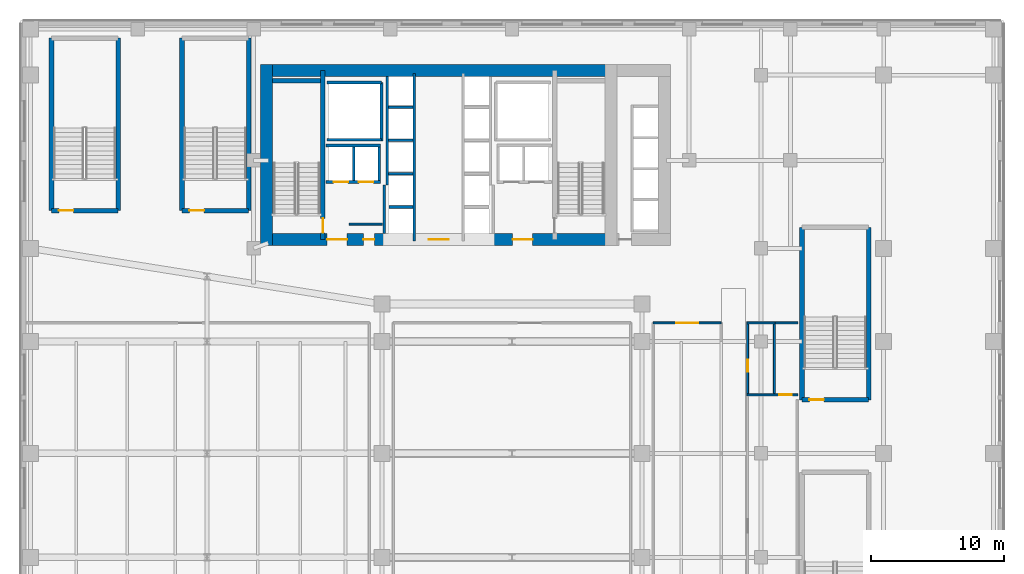
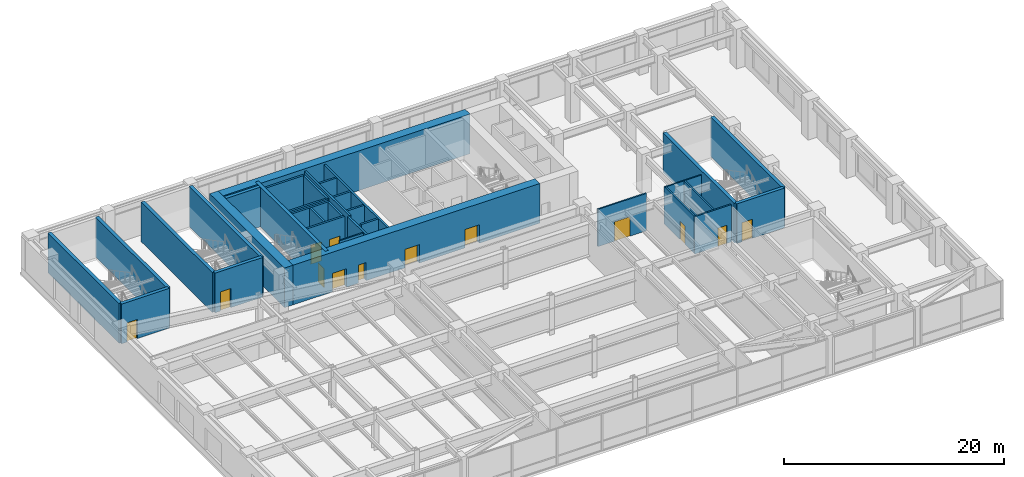
# One storey, part 19 of 27: 35 walls, 13 doors, 13 openings.
"""IFC4 building model written with IfcOpenShell, lengths in metres."""

from ifc_helpers import new_model, si_unit, direction, frame, frame_2d, origin, place, context, subcontext, project, spatial, rectangle, extrude, source, transform, mapped, material, layer, layer_set, type_object, type_shapes, element, fill, save


model = new_model("IFC4")

# Units and contexts
model_context = context("Model", 3, precision=1e-05, world=origin(), true_north=direction((0.0, 1.0)))
body_context = subcontext(model_context, "Body", "Model", "MODEL_VIEW")
ifc_project = project(units=[si_unit("LENGTHUNIT", "METRE"), si_unit("AREAUNIT", "SQUARE_METRE"), si_unit("VOLUMEUNIT", "CUBIC_METRE"), si_unit("PLANEANGLEUNIT", "RADIAN"), si_unit("MASSUNIT", "GRAM", prefix="KILO")], contexts=[model_context])

# Site, building, storey
site_placement = place(None, origin())
site = spatial("IfcSite", under=ifc_project, at=site_placement, CompositionType="ELEMENT")
building_placement = place(site_placement, origin())
building = spatial("IfcBuilding", under=site, at=building_placement, Name="Tolvann Quenvar Hotel", CompositionType="ELEMENT")
storey_placement = place(building_placement, frame((0.0, 0.0, 22.39990234375)))
storey = spatial("IfcBuildingStorey", under=building, at=storey_placement, Name="L04", CompositionType="ELEMENT", Elevation=22.39990234375)

# Wall, openings, doors
ifc_material_1 = material(Name="Concrete S80 (80 MPa)", Category="concrete")
ifc_layer_1 = layer(ifc_material_1, 0.89990234375)
ifc_layer_set_1 = layer_set([ifc_layer_1], Name="Concrete S80 (80 MPa)")
wall_type_1 = type_object("IfcWallType", Name="WALL_CORE_900", PredefinedType="SHEAR", material=ifc_layer_set_1)
wall_1_placement = place(storey_placement, frame((9.60009765625, 32.050048828125, 0.0), z_axis=(0.0, 0.0, 1.0), x_axis=(1.0, 0.0, 0.0)))
wall_1 = element("IfcWall", 1, at=wall_1_placement, inside=storey, type_object=wall_type_1, Name="Rear Core S Shear Wall (L04)", PredefinedType="SHEAR", context=body_context, shape_type="SweptSolid", body=[
    extrude(rectangle(XDim=26.7998046875, YDim=0.89990234375, at=frame_2d((13.39990234375, 0.0))), origin(), (0.0, 0.0, 1.0), 4.400146484375),
])
opening_1_placement = place(wall_1_placement, frame((6.52001953125, 0.0, 0.0), z_axis=(0.0, 0.0, 1.0), x_axis=(-1.0, 0.0, 0.0)))
opening_1 = element("IfcOpeningElement", 2, at=opening_1_placement, cuts=wall_1, Name="Opening FD-60D", PredefinedType="OPENING", context=body_context, shape_type="SweptSolid", body=[
    extrude(rectangle(XDim=1.5, YDim=2.0400390625, at=frame_2d((0.75, 1.02001953125))), frame((0.0, 0.4599609375, 0.0), z_axis=(0.0, -1.0, 0.0), x_axis=(1.0, 0.0, 0.0)), (0.0, 0.0, 1.0), 0.919921875),
])
opening_2_placement = place(wall_1_placement, frame((14.14990234375, 0.0, 0.0), z_axis=(0.0, 0.0, 1.0), x_axis=(-1.0, 0.0, 0.0)))
opening_2 = element("IfcOpeningElement", 3, at=opening_2_placement, cuts=wall_1, Name="Opening FD-60D", PredefinedType="OPENING", context=body_context, shape_type="SweptSolid", body=[
    extrude(rectangle(XDim=1.5, YDim=2.0400390625, at=frame_2d((0.75, 1.02001953125))), frame((0.0, 0.4599609375, 0.0), z_axis=(0.0, -1.0, 0.0), x_axis=(1.0, 0.0, 0.0)), (0.0, 0.0, 1.0), 0.919921875),
])
opening_3_placement = place(wall_1_placement, frame((20.449951171875, 0.0, 0.0), z_axis=(0.0, 0.0, 1.0), x_axis=(-1.0, 0.0, 0.0)))
opening_3 = element("IfcOpeningElement", 4, at=opening_3_placement, cuts=wall_1, Name="Opening FD-60D", PredefinedType="OPENING", context=body_context, shape_type="SweptSolid", body=[
    extrude(rectangle(XDim=1.5, YDim=2.0400390625, at=frame_2d((0.75, 1.02001953125))), frame((0.0, 0.4599609375, 0.0), z_axis=(0.0, -1.0, 0.0), x_axis=(1.0, 0.0, 0.0)), (0.0, 0.0, 1.0), 0.919921875),
])
opening_4_placement = place(wall_1_placement, frame((8.570068359375, 0.0, 0.0), z_axis=(0.0, 0.0, 1.0), x_axis=(-1.0, 0.0, 0.0)))
opening_4 = element("IfcOpeningElement", 5, at=opening_4_placement, cuts=wall_1, Name="Opening HD-02", PredefinedType="OPENING", context=body_context, shape_type="SweptSolid", body=[
    extrude(rectangle(XDim=0.820068359375, YDim=2.010009765625, at=frame_2d((0.41015625, 1.0048828125))), frame((0.0, 0.4599609375, 0.0), z_axis=(0.0, -1.0, 0.0), x_axis=(1.0, 0.0, 0.0)), (0.0, 0.0, 1.0), 0.919921875),
])
ifc_material_2 = material(Name="Solid-core American oak acoustic fire door leaf in steel frame", Category="steel")
door_type_1 = type_object("IfcDoorType", Name="DOOR_FIRE_LOBBY_1500", OperationType="NOTDEFINED", PredefinedType="DOOR", material=ifc_material_2)
shared_shape_1 = source(origin(), body_context, "Body", "SweptSolid", [
    extrude(rectangle(XDim=1.5, YDim=2.0400390625, at=frame_2d((0.75, 1.02001953125))), frame((0.0, 0.02490234375, 0.0), z_axis=(0.0, -1.0, 0.0), x_axis=(1.0, 0.0, 0.0)), (0.0, 0.0, 1.0), 0.050048828125),
])
type_shapes(door_type_1, [shared_shape_1])
door_1_placement = place(opening_1_placement, origin())
door_1 = element("IfcDoor", 6, at=door_1_placement, inside=storey, type_object=door_type_1, Name="Core Lobby Fire Door FFW (L04)", OperationType="DOUBLE_DOOR_SINGLE_SWING", OverallHeight=2.0400390625, OverallWidth=1.5, PredefinedType="DOOR", context=body_context, shape_type="MappedRepresentation", body=[
    mapped(shared_shape_1, transform((0.0, 0.0, 0.0), x_axis=(1.0, 0.0, 0.0), y_axis=(0.0, 1.0, 0.0), z_axis=(0.0, 0.0, 1.0), scale=1.0)),
])
fill(opening_1, door_1)
door_2_placement = place(opening_2_placement, origin())
door_2 = element("IfcDoor", 7, at=door_2_placement, inside=storey, type_object=door_type_1, Name="Core Lobby Fire Door CLOB (L04)", OperationType="DOUBLE_DOOR_SINGLE_SWING", OverallHeight=2.0400390625, OverallWidth=1.5, PredefinedType="DOOR", context=body_context, shape_type="MappedRepresentation", body=[
    mapped(shared_shape_1, transform((0.0, 0.0, 0.0), x_axis=(1.0, 0.0, 0.0), y_axis=(0.0, 1.0, 0.0), z_axis=(0.0, 0.0, 1.0), scale=1.0)),
])
fill(opening_2, door_2)
door_3_placement = place(opening_3_placement, origin())
door_3 = element("IfcDoor", 8, at=door_3_placement, inside=storey, type_object=door_type_1, Name="Core Lobby Fire Door FFE (L04)", OperationType="DOUBLE_DOOR_SINGLE_SWING", OverallHeight=2.0400390625, OverallWidth=1.5, PredefinedType="DOOR", context=body_context, shape_type="MappedRepresentation", body=[
    mapped(shared_shape_1, transform((0.0, 0.0, 0.0), x_axis=(1.0, 0.0, 0.0), y_axis=(0.0, 1.0, 0.0), z_axis=(0.0, 0.0, 1.0), scale=1.0)),
])
fill(opening_3, door_3)
ifc_material_3 = material(Name="Pressed galvanised steel fire-rated door set", Category="steel")
door_type_2 = type_object("IfcDoorType", Name="DOOR_STORE_820", OperationType="NOTDEFINED", PredefinedType="DOOR", material=ifc_material_3)
shared_shape_2 = source(origin(), body_context, "Body", "SweptSolid", [
    extrude(rectangle(XDim=0.820068359375, YDim=2.010009765625, at=frame_2d((0.41015625, 1.0048828125))), frame((0.0, 0.02490234375, 0.0), z_axis=(0.0, -1.0, 0.0), x_axis=(1.0, 0.0, 0.0)), (0.0, 0.0, 1.0), 0.050048828125),
])
type_shapes(door_type_2, [shared_shape_2])
door_4_placement = place(opening_4_placement, origin())
door_4 = element("IfcDoor", 9, at=door_4_placement, inside=storey, type_object=door_type_2, Name="Core Linen Store Fire Door (L04)", OperationType="SINGLE_SWING_RIGHT", OverallHeight=2.010009765625, OverallWidth=0.820068359375, PredefinedType="DOOR", context=body_context, shape_type="MappedRepresentation", body=[
    mapped(shared_shape_2, transform((0.0, 0.0, 0.0), x_axis=(1.0, 0.0, 0.0), y_axis=(0.0, 1.0, 0.0), z_axis=(0.0, 0.0, 1.0), scale=1.0)),
])
fill(opening_4, door_4)

# Walls
wall_2_placement = place(storey_placement, frame((9.60009765625, 44.75, 0.0), z_axis=(0.0, 0.0, 1.0), x_axis=(1.0, 0.0, 0.0)))
element("IfcWall", 10, at=wall_2_placement, inside=storey, type_object=wall_type_1, Name="Rear Core N Shear Wall (L04)", PredefinedType="SHEAR", context=body_context, shape_type="SweptSolid", body=[
    extrude(rectangle(XDim=26.7998046875, YDim=0.89990234375, at=frame_2d((13.39990234375, 0.0))), origin(), (0.0, 0.0, 1.0), 4.400146484375),
])
wall_3_placement = place(storey_placement, frame((10.050048828125, 31.60009765625, 0.0), z_axis=(0.0, 0.0, 1.0), x_axis=(0.0, 1.0, 0.0)))
element("IfcWall", 11, at=wall_3_placement, inside=storey, type_object=wall_type_1, Name="Rear Core W Shear Wall (L04)", PredefinedType="SHEAR", context=body_context, shape_type="SweptSolid", body=[
    extrude(rectangle(XDim=13.599853515625, YDim=0.89990234375, at=frame_2d((6.7998046875, 0.0))), origin(), (0.0, 0.0, 1.0), 4.400146484375),
])

# Wall, opening, door
ifc_material_4 = material(Name="Concrete S65 (65 MPa)", Category="concrete")
ifc_layer_2 = layer(ifc_material_4, 0.35009765625)
ifc_layer_set_2 = layer_set([ifc_layer_2], Name="Concrete S65 (65 MPa)")
wall_type_2 = type_object("IfcWallType", Name="WALL_CORE_INT_350", PredefinedType="SHEAR", material=ifc_layer_set_2)
wall_4_placement = place(storey_placement, frame((14.300048828125, 32.050048828125, 0.0), z_axis=(0.0, 0.0, 1.0), x_axis=(0.0, 1.0, 0.0)))
wall_4 = element("IfcWall", 12, at=wall_4_placement, inside=storey, type_object=wall_type_2, Name="Core Internal Web Shear Wall WEB-W (L04)", PredefinedType="SHEAR", context=body_context, shape_type="SweptSolid", body=[
    extrude(rectangle(XDim=12.699951171875, YDim=0.35009765625, at=frame_2d((6.35009765625, 0.0))), origin(), (0.0, 0.0, 1.0), 4.400146484375),
])
opening_5_placement = place(wall_4_placement, frame((0.5, 0.0, 0.0)))
opening_5 = element("IfcOpeningElement", 13, at=opening_5_placement, cuts=wall_4, Name="Opening FD-120", PredefinedType="OPENING", context=body_context, shape_type="SweptSolid", body=[
    extrude(rectangle(XDim=1.10009765625, YDim=2.1201171875, at=frame_2d((0.550048828125, 1.06005859375))), frame((0.0, 0.18505859375, 0.0), z_axis=(0.0, -1.0, 0.0), x_axis=(1.0, 0.0, 0.0)), (0.0, 0.0, 1.0), 0.3701171875),
])
door_type_3 = type_object("IfcDoorType", Name="DOOR_FIRE_STAIR_1100", OperationType="NOTDEFINED", PredefinedType="DOOR", material=ifc_material_3)
shared_shape_3 = source(origin(), body_context, "Body", "SweptSolid", [
    extrude(rectangle(XDim=1.10009765625, YDim=2.1201171875, at=frame_2d((0.550048828125, 1.06005859375))), frame((0.0, 0.02490234375, 0.0), z_axis=(0.0, -1.0, 0.0), x_axis=(1.0, 0.0, 0.0)), (0.0, 0.0, 1.0), 0.050048828125),
])
type_shapes(door_type_3, [shared_shape_3])
door_5_placement = place(opening_5_placement, origin())
door_5 = element("IfcDoor", 14, at=door_5_placement, inside=storey, type_object=door_type_3, Name="Exit Stair ST-C1 Fire Door (L04)", OperationType="SINGLE_SWING_RIGHT", OverallHeight=2.1201171875, OverallWidth=1.10009765625, PredefinedType="DOOR", context=body_context, shape_type="MappedRepresentation", body=[
    mapped(shared_shape_3, transform((0.0, 0.0, 0.0), x_axis=(1.0, 0.0, 0.0), y_axis=(0.0, 1.0, 0.0), z_axis=(0.0, 0.0, 1.0), scale=1.0)),
])
fill(opening_5, door_5)

# Wall
wall_5_placement = place(storey_placement, frame((10.52001953125, 43.97509765625, 0.0), z_axis=(0.0, 0.0, 1.0), x_axis=(1.0, 0.0, 0.0)))
element("IfcWall", 15, at=wall_5_placement, inside=storey, type_object=wall_type_2, Name="Core Stair North Closing Shear Wall STC1-N (L04)", PredefinedType="SHEAR", context=body_context, shape_type="SweptSolid", body=[
    extrude(rectangle(XDim=3.60009765625, YDim=0.35009765625, at=frame_2d((1.800048828125, 0.0))), origin(), (0.0, 0.0, 1.0), 4.400146484375),
])

# Wall, opening, door
wall_6_placement = place(storey_placement, frame((-6.074951171875, 34.22509765625, 0.0), z_axis=(0.0, 0.0, 1.0), x_axis=(1.0, 0.0, 0.0)))
wall_6 = element("IfcWall", 16, at=wall_6_placement, inside=storey, type_object=wall_type_2, Name="Stairwell ST-P1 Structural Shaft Wall S (L04)", PredefinedType="SHEAR", context=body_context, shape_type="SweptSolid", body=[
    extrude(rectangle(XDim=5.0, YDim=0.35009765625, at=frame_2d((2.5, 0.0))), origin(), (0.0, 0.0, 1.0), 4.400146484375),
])
opening_6_placement = place(wall_6_placement, frame((0.550048828125, 0.0, 0.0)))
opening_6 = element("IfcOpeningElement", 17, at=opening_6_placement, cuts=wall_6, Name="Opening FD-120", PredefinedType="OPENING", context=body_context, shape_type="SweptSolid", body=[
    extrude(rectangle(XDim=1.10009765625, YDim=2.1201171875, at=frame_2d((0.550048828125, 1.06005859375))), frame((0.0, 0.18505859375, 0.0), z_axis=(0.0, -1.0, 0.0), x_axis=(1.0, 0.0, 0.0)), (0.0, 0.0, 1.0), 0.3701171875),
])
door_6_placement = place(opening_6_placement, origin())
door_6 = element("IfcDoor", 18, at=door_6_placement, inside=storey, type_object=door_type_3, Name="Exit Stair ST-P1 Fire Door (L04)", OperationType="SINGLE_SWING_RIGHT", OverallHeight=2.1201171875, OverallWidth=1.10009765625, PredefinedType="DOOR", context=body_context, shape_type="MappedRepresentation", body=[
    mapped(shared_shape_3, transform((0.0, 0.0, 0.0), x_axis=(1.0, 0.0, 0.0), y_axis=(0.0, 1.0, 0.0), z_axis=(0.0, 0.0, 1.0), scale=1.0)),
])
fill(opening_6, door_6)

# Walls
for number, where, z_axis, x_axis, name in (
    (19, (-1.074951171875, 34.22509765625, 0.0), (0.0, 0.0, 1.0), (0.0, 1.0, 0.0), "Stairwell ST-P1 Structural Shaft Wall E (L04)"),
    (20, (-6.074951171875, 47.175048828125, 0.0), (0.0, 0.0, 1.0), (0.0, -1.0, 0.0), "Stairwell ST-P1 Structural Shaft Wall W (L04)"),
):
    element("IfcWall", number, at=place(storey_placement, frame(where, z_axis=z_axis, x_axis=x_axis)), inside=storey, type_object=wall_type_2, Name=name, PredefinedType="SHEAR", context=body_context, shape_type="SweptSolid", body=[
        extrude(rectangle(XDim=12.949951171875, YDim=0.35009765625, at=frame_2d((6.47509765625, 0.0))), origin(), (0.0, 0.0, 1.0), 4.400146484375),
    ])

# Wall, opening, door
wall_7_placement = place(storey_placement, frame((3.72509765625, 34.22509765625, 0.0), z_axis=(0.0, 0.0, 1.0), x_axis=(1.0, 0.0, 0.0)))
wall_7 = element("IfcWall", 21, at=wall_7_placement, inside=storey, type_object=wall_type_2, Name="Stairwell ST-P2 Structural Shaft Wall S (L04)", PredefinedType="SHEAR", context=body_context, shape_type="SweptSolid", body=[
    extrude(rectangle(XDim=5.0, YDim=0.35009765625, at=frame_2d((2.5, 0.0))), origin(), (0.0, 0.0, 1.0), 4.400146484375),
])
opening_7_placement = place(wall_7_placement, frame((0.550048828125, 0.0, 0.0)))
opening_7 = element("IfcOpeningElement", 22, at=opening_7_placement, cuts=wall_7, Name="Opening FD-120", PredefinedType="OPENING", context=body_context, shape_type="SweptSolid", body=[
    extrude(rectangle(XDim=1.10009765625, YDim=2.1201171875, at=frame_2d((0.550048828125, 1.06005859375))), frame((0.0, 0.18505859375, 0.0), z_axis=(0.0, -1.0, 0.0), x_axis=(1.0, 0.0, 0.0)), (0.0, 0.0, 1.0), 0.3701171875),
])
door_7_placement = place(opening_7_placement, origin())
door_7 = element("IfcDoor", 23, at=door_7_placement, inside=storey, type_object=door_type_3, Name="Exit Stair ST-P2 Fire Door (L04)", OperationType="SINGLE_SWING_LEFT", OverallHeight=2.1201171875, OverallWidth=1.10009765625, PredefinedType="DOOR", context=body_context, shape_type="MappedRepresentation", body=[
    mapped(shared_shape_3, transform((0.0, 0.0, 0.0), x_axis=(1.0, 0.0, 0.0), y_axis=(0.0, 1.0, 0.0), z_axis=(0.0, 0.0, 1.0), scale=1.0)),
])
fill(opening_7, door_7)

# Walls
for number, where, z_axis, x_axis, name in (
    (24, (8.72509765625, 34.22509765625, 0.0), (0.0, 0.0, 1.0), (0.0, 1.0, 0.0), "Stairwell ST-P2 Structural Shaft Wall E (L04)"),
    (25, (3.72509765625, 47.175048828125, 0.0), (0.0, 0.0, 1.0), (0.0, -1.0, 0.0), "Stairwell ST-P2 Structural Shaft Wall W (L04)"),
):
    element("IfcWall", number, at=place(storey_placement, frame(where, z_axis=z_axis, x_axis=x_axis)), inside=storey, type_object=wall_type_2, Name=name, PredefinedType="SHEAR", context=body_context, shape_type="SweptSolid", body=[
        extrude(rectangle(XDim=12.949951171875, YDim=0.35009765625, at=frame_2d((6.47509765625, 0.0))), origin(), (0.0, 0.0, 1.0), 4.400146484375),
    ])

# Wall, opening, door
wall_8_placement = place(storey_placement, frame((50.27490234375, 20.02490234375, 0.0), z_axis=(0.0, 0.0, 1.0), x_axis=(1.0, 0.0, 0.0)))
wall_8 = element("IfcWall", 26, at=wall_8_placement, inside=storey, type_object=wall_type_2, Name="Stairwell ST-P4 Structural Shaft Wall S (L04)", PredefinedType="SHEAR", context=body_context, shape_type="SweptSolid", body=[
    extrude(rectangle(XDim=5.0, YDim=0.35009765625, at=frame_2d((2.5, 0.0))), origin(), (0.0, 0.0, 1.0), 4.400146484375),
])
opening_8_placement = place(wall_8_placement, frame((0.550048828125, 0.0, 0.0)))
opening_8 = element("IfcOpeningElement", 27, at=opening_8_placement, cuts=wall_8, Name="Opening FD-120", PredefinedType="OPENING", context=body_context, shape_type="SweptSolid", body=[
    extrude(rectangle(XDim=1.10009765625, YDim=2.1201171875, at=frame_2d((0.550048828125, 1.06005859375))), frame((0.0, 0.18505859375, 0.0), z_axis=(0.0, -1.0, 0.0), x_axis=(1.0, 0.0, 0.0)), (0.0, 0.0, 1.0), 0.3701171875),
])
door_8_placement = place(opening_8_placement, origin())
door_8 = element("IfcDoor", 28, at=door_8_placement, inside=storey, type_object=door_type_3, Name="Exit Stair ST-P4 Fire Door (L04)", OperationType="SINGLE_SWING_LEFT", OverallHeight=2.1201171875, OverallWidth=1.10009765625, PredefinedType="DOOR", context=body_context, shape_type="MappedRepresentation", body=[
    mapped(shared_shape_3, transform((0.0, 0.0, 0.0), x_axis=(1.0, 0.0, 0.0), y_axis=(0.0, 1.0, 0.0), z_axis=(0.0, 0.0, 1.0), scale=1.0)),
])
fill(opening_8, door_8)

# Walls
for number, where, z_axis, x_axis, name in (
    (29, (55.27490234375, 20.02490234375, 0.0), (0.0, 0.0, 1.0), (0.0, 1.0, 0.0), "Stairwell ST-P4 Structural Shaft Wall E (L04)"),
    (30, (50.27490234375, 32.97509765625, 0.0), (0.0, 0.0, 1.0), (0.0, -1.0, 0.0), "Stairwell ST-P4 Structural Shaft Wall W (L04)"),
):
    element("IfcWall", number, at=place(storey_placement, frame(where, z_axis=z_axis, x_axis=x_axis)), inside=storey, type_object=wall_type_2, Name=name, PredefinedType="SHEAR", context=body_context, shape_type="SweptSolid", body=[
        extrude(rectangle(XDim=12.9501953125, YDim=0.35009765625, at=frame_2d((6.47509765625, 0.0))), origin(), (0.0, 0.0, 1.0), 4.400146484375),
    ])
ifc_material_5 = material(Name="Acoustic twin-stud fire-rated gypsum plasterboard partition")
ifc_layer_3 = layer(ifc_material_5, 0.14990234375)
ifc_layer_set_3 = layer_set([ifc_layer_3], Name="Acoustic twin-stud fire-rated gypsum plasterboard partition")
wall_type_3 = type_object("IfcWallType", Name="WALL_PART_SUITE_150", PredefinedType="PARTITIONING", material=ifc_layer_set_3)
wall_9_placement = place(storey_placement, frame((16.280029296875, 33.219970703125, 0.0), z_axis=(0.0, 0.0, 1.0), x_axis=(1.0, 0.0, 0.0)))
element("IfcWall", 31, at=wall_9_placement, inside=storey, type_object=wall_type_3, Name="Interior Partition PT-SPC-L04-CSW-1-N", PredefinedType="PARTITIONING", context=body_context, shape_type="SweptSolid", body=[
    extrude(rectangle(XDim=2.48486328125, YDim=0.14990234375, at=frame_2d((1.242431640625, 0.0))), origin(), (0.0, 0.0, 1.0), 4.14013671875),
])

# Wall, opening, door
wall_10_placement = place(storey_placement, frame((39.10009765625, 25.800048828125, 0.0), z_axis=(0.0, 0.0, 1.0), x_axis=(1.0, 0.0, 0.0)))
wall_10 = element("IfcWall", 32, at=wall_10_placement, inside=storey, type_object=wall_type_3, Name="Interior Partition PT-SPC-L04-CLUB-N", PredefinedType="PARTITIONING", context=body_context, shape_type="SweptSolid", body=[
    extrude(rectangle(XDim=5.099853515625, YDim=0.14990234375, at=frame_2d((2.5498046875, 0.0))), origin(), (0.0, 0.0, 1.0), 4.14013671875),
])
opening_9_placement = place(wall_10_placement, frame((1.72509765625, 0.0, 0.0)))
opening_9 = element("IfcOpeningElement", 33, at=opening_9_placement, cuts=wall_10, Name="Opening AD-01", PredefinedType="OPENING", context=body_context, shape_type="SweptSolid", body=[
    extrude(rectangle(XDim=1.64990234375, YDim=2.14990234375, at=frame_2d((0.824951171875, 1.074951171875))), frame((0.0, 0.0849609375, 0.0), z_axis=(0.0, -1.0, 0.0), x_axis=(1.0, 0.0, 0.0)), (0.0, 0.0, 1.0), 0.169921875),
])
door_type_4 = type_object("IfcDoorType", Name="DOOR_SALON_1650", OperationType="NOTDEFINED", PredefinedType="DOOR", material=ifc_material_2)
shared_shape_4 = source(origin(), body_context, "Body", "SweptSolid", [
    extrude(rectangle(XDim=1.64990234375, YDim=2.14990234375, at=frame_2d((0.824951171875, 1.074951171875))), frame((0.0, 0.02490234375, 0.0), z_axis=(0.0, -1.0, 0.0), x_axis=(1.0, 0.0, 0.0)), (0.0, 0.0, 1.0), 0.050048828125),
])
type_shapes(door_type_4, [shared_shape_4])
door_9_placement = place(opening_9_placement, origin())
door_9 = element("IfcDoor", 34, at=door_9_placement, inside=storey, type_object=door_type_4, Name="Interior Door DOOR-SPC-L04-CLUB", OperationType="DOUBLE_DOOR_SINGLE_SWING", OverallHeight=2.14990234375, OverallWidth=1.64990234375, PredefinedType="DOOR", context=body_context, shape_type="MappedRepresentation", body=[
    mapped(shared_shape_4, transform((0.0, 0.0, 0.0), x_axis=(1.0, 0.0, 0.0), y_axis=(0.0, 1.0, 0.0), z_axis=(0.0, 0.0, 1.0), scale=1.0)),
])
fill(opening_9, door_9)

wall_11_placement = place(storey_placement, frame((46.1298828125, 20.39990234375, 0.0), z_axis=(0.0, 0.0, 1.0), x_axis=(1.0, 0.0, 0.0)))
wall_11 = element("IfcWall", 35, at=wall_11_placement, inside=storey, type_object=wall_type_3, Name="Interior Partition PT-SPC-L04-CELL-N", PredefinedType="PARTITIONING", context=body_context, shape_type="SweptSolid", body=[
    extrude(rectangle(XDim=3.840087890625, YDim=0.14990234375, at=frame_2d((1.919921875, 0.0))), origin(), (0.0, 0.0, 1.0), 4.14013671875),
])
opening_10_placement = place(wall_11_placement, frame((2.445068359375, 0.0, 0.0)))
opening_10 = element("IfcOpeningElement", 36, at=opening_10_placement, cuts=wall_11, Name="Opening WD-01", PredefinedType="OPENING", context=body_context, shape_type="SweptSolid", body=[
    extrude(rectangle(XDim=0.919921875, YDim=2.010009765625, at=frame_2d((0.4599609375, 1.0048828125))), frame((0.0, 0.0849609375, 0.0), z_axis=(0.0, -1.0, 0.0), x_axis=(1.0, 0.0, 0.0)), (0.0, 0.0, 1.0), 0.169921875),
])
door_type_5 = type_object("IfcDoorType", Name="DOOR_WC_920", OperationType="NOTDEFINED", PredefinedType="DOOR", material=ifc_material_2)
shared_shape_5 = source(origin(), body_context, "Body", "SweptSolid", [
    extrude(rectangle(XDim=0.919921875, YDim=2.010009765625, at=frame_2d((0.4599609375, 1.0048828125))), frame((0.0, 0.02490234375, 0.0), z_axis=(0.0, -1.0, 0.0), x_axis=(1.0, 0.0, 0.0)), (0.0, 0.0, 1.0), 0.050048828125),
])
type_shapes(door_type_5, [shared_shape_5])
door_10_placement = place(opening_10_placement, origin())
door_10 = element("IfcDoor", 37, at=door_10_placement, inside=storey, type_object=door_type_5, Name="Interior Door DOOR-SPC-L04-WCA", OperationType="SINGLE_SWING_LEFT", OverallHeight=2.010009765625, OverallWidth=0.919921875, PredefinedType="DOOR", context=body_context, shape_type="MappedRepresentation", body=[
    mapped(shared_shape_5, transform((0.0, 0.0, 0.0), x_axis=(1.0, 0.0, 0.0), y_axis=(0.0, 1.0, 0.0), z_axis=(0.0, 0.0, 1.0), scale=1.0)),
])
fill(opening_10, door_10)

# Wall
wall_12_placement = place(storey_placement, frame((46.1298828125, 25.800048828125, 0.0), z_axis=(0.0, 0.0, 1.0), x_axis=(1.0, 0.0, 0.0)))
element("IfcWall", 38, at=wall_12_placement, inside=storey, type_object=wall_type_3, Name="Interior Partition PT-SPC-L04-WC1-N", PredefinedType="PARTITIONING", context=body_context, shape_type="SweptSolid", body=[
    extrude(rectangle(XDim=2.14013671875, YDim=0.14990234375, at=frame_2d((1.070068359375, 0.0))), origin(), (0.0, 0.0, 1.0), 4.14013671875),
])

# Wall, opening, door
wall_13_placement = place(storey_placement, frame((46.199951171875, 20.47998046875, 0.0), z_axis=(0.0, 0.0, 1.0), x_axis=(0.0, 1.0, 0.0)))
wall_13 = element("IfcWall", 39, at=wall_13_placement, inside=storey, type_object=wall_type_3, Name="Interior Partition PT-SPC-L04-WC1-W", PredefinedType="PARTITIONING", context=body_context, shape_type="SweptSolid", body=[
    extrude(rectangle(XDim=5.39013671875, YDim=0.14990234375, at=frame_2d((2.695068359375, 0.0))), origin(), (0.0, 0.0, 1.0), 4.14013671875),
])
opening_11_placement = place(wall_13_placement, frame((1.635009765625, 0.0, 0.0)))
opening_11 = element("IfcOpeningElement", 40, at=opening_11_placement, cuts=wall_13, Name="Opening WD-01", PredefinedType="OPENING", context=body_context, shape_type="SweptSolid", body=[
    extrude(rectangle(XDim=0.919921875, YDim=2.010009765625, at=frame_2d((0.4599609375, 1.0048828125))), frame((0.0, 0.0849609375, 0.0), z_axis=(0.0, -1.0, 0.0), x_axis=(1.0, 0.0, 0.0)), (0.0, 0.0, 1.0), 0.169921875),
])
door_11_placement = place(opening_11_placement, origin())
door_11 = element("IfcDoor", 41, at=door_11_placement, inside=storey, type_object=door_type_5, Name="Interior Door DOOR-SPC-L04-WC1", OperationType="SINGLE_SWING_RIGHT", OverallHeight=2.010009765625, OverallWidth=0.919921875, PredefinedType="DOOR", context=body_context, shape_type="MappedRepresentation", body=[
    mapped(shared_shape_5, transform((0.0, 0.0, 0.0), x_axis=(1.0, 0.0, 0.0), y_axis=(0.0, 1.0, 0.0), z_axis=(0.0, 0.0, 1.0), scale=1.0)),
])
fill(opening_11, door_11)

# Walls
wall_14_placement = place(storey_placement, frame((48.199951171875, 20.47998046875, 0.0), z_axis=(0.0, 0.0, 1.0), x_axis=(0.0, 1.0, 0.0)))
element("IfcWall", 42, at=wall_14_placement, inside=storey, type_object=wall_type_3, Name="Interior Partition PT-SPC-L04-WC1-E", PredefinedType="PARTITIONING", context=body_context, shape_type="SweptSolid", body=[
    extrude(rectangle(XDim=5.39013671875, YDim=0.14990234375, at=frame_2d((2.695068359375, 0.0))), origin(), (0.0, 0.0, 1.0), 4.14013671875),
])
wall_15_placement = place(storey_placement, frame((48.280029296875, 25.800048828125, 0.0), z_axis=(0.0, 0.0, 1.0), x_axis=(1.0, 0.0, 0.0)))
element("IfcWall", 43, at=wall_15_placement, inside=storey, type_object=wall_type_3, Name="Interior Partition PT-SPC-L04-WCA-N", PredefinedType="PARTITIONING", context=body_context, shape_type="SweptSolid", body=[
    extrude(rectangle(XDim=1.68994140625, YDim=0.14990234375, at=frame_2d((0.844970703125, 0.0))), origin(), (0.0, 0.0, 1.0), 4.14013671875),
])
ifc_material_6 = material(Name="Concrete N40 (40 MPa)", Category="concrete")
ifc_layer_4 = layer(ifc_material_6, 0.199951171875)
ifc_layer_set_4 = layer_set([ifc_layer_4], Name="Concrete N40 (40 MPa)")
wall_type_4 = type_object("IfcWallType", Name="WALL_SHAFT_200", PredefinedType="SOLIDWALL", material=ifc_layer_set_4)
wall_16_placement = place(storey_placement, frame((18.699951171875, 39.449951171875, 0.0), z_axis=(0.0, 0.0, 1.0), x_axis=(0.0, 1.0, 0.0)))
element("IfcWall", 44, at=wall_16_placement, inside=storey, type_object=wall_type_4, Name="Service Riser W Shaft Wall IN (L04)", PredefinedType="SOLIDWALL", context=body_context, shape_type="SweptSolid", body=[
    extrude(rectangle(XDim=4.400146484375, YDim=0.199951171875, at=frame_2d((2.2001953125, 0.0))), origin(), (0.0, 0.0, 1.0), 4.14013671875),
])
for number, where, z_axis, x_axis, name in (
    (45, (14.60009765625, 39.550048828125, 0.0), (0.0, 0.0, 1.0), (1.0, 0.0, 0.0), "Service Riser W Shaft Wall S (L04)"),
    (46, (14.60009765625, 43.85009765625, 0.0), (0.0, 0.0, 1.0), (1.0, 0.0, 0.0), "Service Riser W Shaft Wall N (L04)"),
):
    element("IfcWall", number, at=place(storey_placement, frame(where, z_axis=z_axis, x_axis=x_axis)), inside=storey, type_object=wall_type_4, Name=name, PredefinedType="SOLIDWALL", context=body_context, shape_type="SweptSolid", body=[
        extrude(rectangle(XDim=4.099853515625, YDim=0.199951171875, at=frame_2d((2.0498046875, 0.0))), origin(), (0.0, 0.0, 1.0), 4.14013671875),
    ])
wall_17_placement = place(storey_placement, frame((18.919921875, 32.50390625, 0.0), z_axis=(0.0, 0.0, 1.0), x_axis=(0.0, 1.0, 0.0)))
element("IfcWall", 47, at=wall_17_placement, inside=storey, type_object=wall_type_4, Name="Firefighting Lobby W Inner Fire Wall (L04)", PredefinedType="SOLIDWALL", context=body_context, shape_type="SweptSolid", body=[
    extrude(rectangle(XDim=3.64599609375, YDim=0.199951171875, at=frame_2d((1.822998046875, 0.0))), origin(), (0.0, 0.0, 1.0), 4.14013671875),
])
wall_18_placement = place(storey_placement, frame((21.169921875, 31.9599609375, 0.0), z_axis=(0.0, 0.0, 1.0), x_axis=(0.0, 1.0, 0.0)))
element("IfcWall", 48, at=wall_18_placement, inside=storey, type_object=wall_type_4, Name="Lift Bank E21.1C1 Hoistway Front Wall (L04)", PredefinedType="SOLIDWALL", context=body_context, shape_type="SweptSolid", body=[
    extrude(rectangle(XDim=12.580078125, YDim=0.199951171875, at=frame_2d((6.2900390625, 0.0))), origin(), (0.0, 0.0, 1.0), 4.14013671875),
])
wall_19_placement = place(storey_placement, frame((19.1298828125, 36.159912109375, 0.0), z_axis=(0.0, 0.0, 1.0), x_axis=(0.0, 1.0, 0.0)))
element("IfcWall", 49, at=wall_19_placement, inside=storey, type_object=wall_type_4, Name="Lift Bank E21.1C1 Hoistway Rear Wall (L04)", PredefinedType="SOLIDWALL", context=body_context, shape_type="SweptSolid", body=[
    extrude(rectangle(XDim=8.135986328125, YDim=0.199951171875, at=frame_2d((4.06787109375, 0.0))), origin(), (0.0, 0.0, 1.0), 4.14013671875),
])
wall_20_placement = place(storey_placement, frame((19.27001953125, 34.5, 0.0), z_axis=(0.0, 0.0, 1.0), x_axis=(1.0, 0.0, 0.0)))
element("IfcWall", 50, at=wall_20_placement, inside=storey, type_object=wall_type_4, Name="Lift Bank E21.1C1 Divider Wall 1 (L04)", PredefinedType="SOLIDWALL", context=body_context, shape_type="SweptSolid", body=[
    extrude(rectangle(XDim=1.800048828125, YDim=0.199951171875, at=frame_2d((0.89990234375, 0.0))), origin(), (0.0, 0.0, 1.0), 4.14013671875),
])
for number, where, z_axis, x_axis, name in (
    (51, (19.22998046875, 37.0, 0.0), (0.0, 0.0, 1.0), (1.0, 0.0, 0.0), "Lift Bank E21.1C1 Divider Wall 2 (L04)"),
    (52, (19.22998046875, 39.5, 0.0), (0.0, 0.0, 1.0), (1.0, 0.0, 0.0), "Lift Bank E21.1C1 Divider Wall 3 (L04)"),
    (53, (19.22998046875, 42.0, 0.0), (0.0, 0.0, 1.0), (1.0, 0.0, 0.0), "Lift Bank E21.1C1 Divider Wall 4 (L04)"),
):
    element("IfcWall", number, at=place(storey_placement, frame(where, z_axis=z_axis, x_axis=x_axis)), inside=storey, type_object=wall_type_4, Name=name, PredefinedType="SOLIDWALL", context=body_context, shape_type="SweptSolid", body=[
        extrude(rectangle(XDim=1.840087890625, YDim=0.199951171875, at=frame_2d((0.919921875, 0.0))), origin(), (0.0, 0.0, 1.0), 4.14013671875),
    ])

# Wall, openings, doors
wall_21_placement = place(storey_placement, frame((14.550048828125, 36.3798828125, 0.0), z_axis=(0.0, 0.0, 1.0), x_axis=(1.0, 0.0, 0.0)))
wall_21 = element("IfcWall", 54, at=wall_21_placement, inside=storey, type_object=wall_type_4, Name="Lift Bank SWC1 Hoistway Front Wall (L04)", PredefinedType="SOLIDWALL", context=body_context, shape_type="SweptSolid", body=[
    extrude(rectangle(XDim=4.074951171875, YDim=0.199951171875, at=frame_2d((2.03759765625, 0.0))), origin(), (0.0, 0.0, 1.0), 4.14013671875),
])
opening_12_placement = place(wall_21_placement, frame((0.550048828125, 0.0, 0.0)))
opening_12 = element("IfcOpeningElement", 55, at=opening_12_placement, cuts=wall_21, Name="Opening LD-01", PredefinedType="OPENING", context=body_context, shape_type="SweptSolid", body=[
    extrude(rectangle(XDim=1.10009765625, YDim=2.1201171875, at=frame_2d((0.550048828125, 1.06005859375))), frame((0.0, 0.10986328125, 0.0), z_axis=(0.0, -1.0, 0.0), x_axis=(1.0, 0.0, 0.0)), (0.0, 0.0, 1.0), 0.219970703125),
])
opening_13_placement = place(wall_21_placement, frame((2.449951171875, 0.0, 0.0)))
opening_13 = element("IfcOpeningElement", 56, at=opening_13_placement, cuts=wall_21, Name="Opening LD-01", PredefinedType="OPENING", context=body_context, shape_type="SweptSolid", body=[
    extrude(rectangle(XDim=1.10009765625, YDim=2.1201171875, at=frame_2d((0.550048828125, 1.06005859375))), frame((0.0, 0.10986328125, 0.0), z_axis=(0.0, -1.0, 0.0), x_axis=(1.0, 0.0, 0.0)), (0.0, 0.0, 1.0), 0.219970703125),
])
ifc_material_7 = material(Name="Brushed 316 stainless steel automatic sliding lift landing door", Category="steel")
door_type_6 = type_object("IfcDoorType", Name="DOOR_LIFT_SLIDE_1100", OperationType="NOTDEFINED", PredefinedType="DOOR", material=ifc_material_7)
shared_shape_6 = source(origin(), body_context, "Body", "SweptSolid", [
    extrude(rectangle(XDim=1.10009765625, YDim=2.1201171875, at=frame_2d((0.550048828125, 1.06005859375))), frame((0.0, 0.02490234375, 0.0), z_axis=(0.0, -1.0, 0.0), x_axis=(1.0, 0.0, 0.0)), (0.0, 0.0, 1.0), 0.050048828125),
])
type_shapes(door_type_6, [shared_shape_6])
door_12_placement = place(opening_12_placement, origin())
door_12 = element("IfcDoor", 57, at=door_12_placement, inside=storey, type_object=door_type_6, Name="Lift FF-1 Sliding Landing Door (L04)", OperationType="SLIDING_TO_LEFT", OverallHeight=2.1201171875, OverallWidth=1.10009765625, PredefinedType="DOOR", context=body_context, shape_type="MappedRepresentation", body=[
    mapped(shared_shape_6, transform((0.0, 0.0, 0.0), x_axis=(1.0, 0.0, 0.0), y_axis=(0.0, 1.0, 0.0), z_axis=(0.0, 0.0, 1.0), scale=1.0)),
])
fill(opening_12, door_12)
door_13_placement = place(opening_13_placement, origin())
door_13 = element("IfcDoor", 58, at=door_13_placement, inside=storey, type_object=door_type_6, Name="Lift SV-1 Sliding Landing Door (L04)", OperationType="SLIDING_TO_RIGHT", OverallHeight=2.1201171875, OverallWidth=1.10009765625, PredefinedType="DOOR", context=body_context, shape_type="MappedRepresentation", body=[
    mapped(shared_shape_6, transform((0.0, 0.0, 0.0), x_axis=(1.0, 0.0, 0.0), y_axis=(0.0, 1.0, 0.0), z_axis=(0.0, 0.0, 1.0), scale=1.0)),
])
fill(opening_13, door_13)

# Walls
wall_22_placement = place(storey_placement, frame((14.550048828125, 39.1201171875, 0.0), z_axis=(0.0, 0.0, 1.0), x_axis=(1.0, 0.0, 0.0)))
element("IfcWall", 59, at=wall_22_placement, inside=storey, type_object=wall_type_4, Name="Lift Bank SWC1 Hoistway Rear Wall (L04)", PredefinedType="SOLIDWALL", context=body_context, shape_type="SweptSolid", body=[
    extrude(rectangle(XDim=4.074951171875, YDim=0.199951171875, at=frame_2d((2.03759765625, 0.0))), origin(), (0.0, 0.0, 1.0), 4.14013671875),
])
for number, where, z_axis, x_axis, name in (
    (60, (18.52490234375, 36.47998046875, 0.0), (0.0, 0.0, 1.0), (0.0, 1.0, 0.0), "Lift Bank SWC1 Hoistway Cheek Wall 2 (L04)"),
    (61, (16.612548828125, 36.47998046875, 0.0), (0.0, 0.0, 1.0), (0.0, 1.0, 0.0), "Lift Bank SWC1 Divider Wall 1 (L04)"),
):
    element("IfcWall", number, at=place(storey_placement, frame(where, z_axis=z_axis, x_axis=x_axis)), inside=storey, type_object=wall_type_4, Name=name, PredefinedType="SOLIDWALL", context=body_context, shape_type="SweptSolid", body=[
        extrude(rectangle(XDim=2.5400390625, YDim=0.199951171875, at=frame_2d((1.27001953125, 0.0))), origin(), (0.0, 0.0, 1.0), 4.14013671875),
    ])

save(model, "model.ifc")
